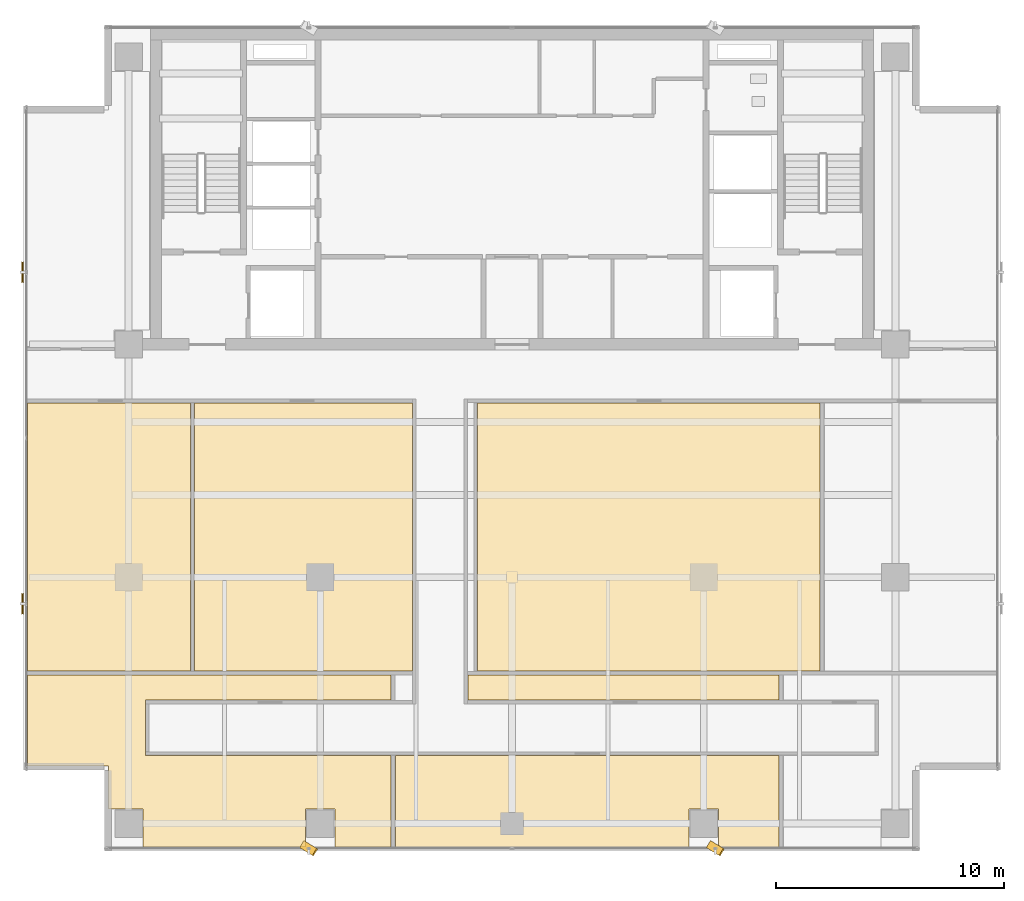
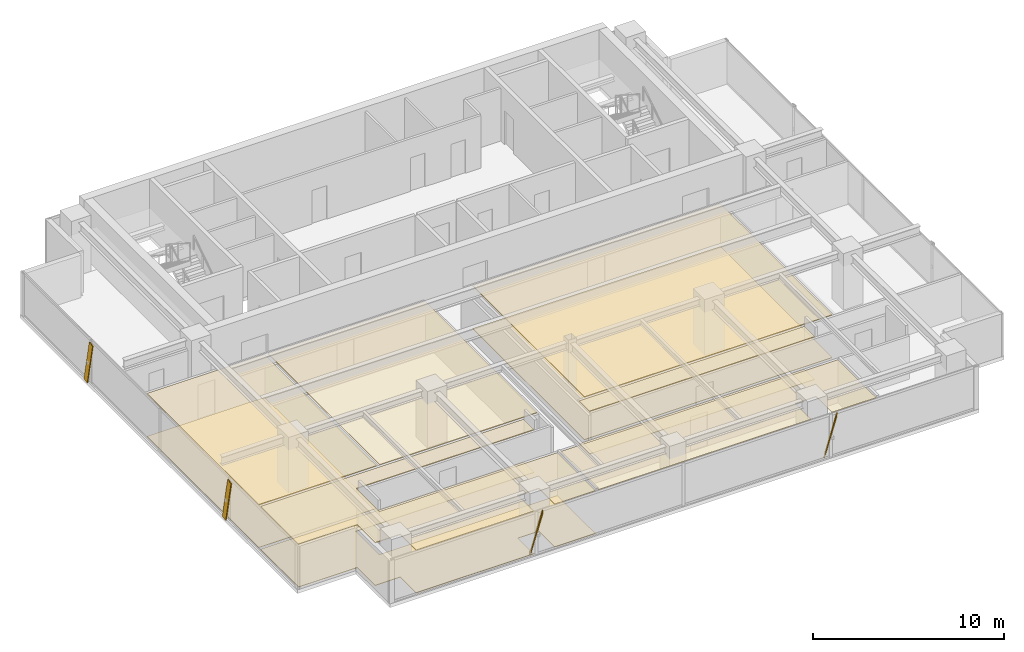
# One storey, part 18 of 22: 10 coverings, 4 shading devices.
"""IFC4 building model written with IfcOpenShell, lengths in metres."""

from ifc_helpers import new_model, si_unit, direction, frame, origin, origin_2d, place, context, subcontext, project, spatial, polyline, rectangle, outline, extrude, source, transform, mapped, material, layer, layer_set, material_profile, profile_set, type_object, element, save


model = new_model("IFC4")

# Units and contexts
model_context = context("Model", 3, precision=1e-05, world=origin(), true_north=direction((0.0, 1.0)))
body_context = subcontext(model_context, "Body", "Model", "MODEL_VIEW")
ifc_project = project(units=[si_unit("LENGTHUNIT", "METRE"), si_unit("AREAUNIT", "SQUARE_METRE"), si_unit("VOLUMEUNIT", "CUBIC_METRE"), si_unit("PLANEANGLEUNIT", "RADIAN"), si_unit("MASSUNIT", "GRAM", prefix="KILO")], contexts=[model_context])

# Site, building, storey
site_placement = place(None, origin())
site = spatial("IfcSite", under=ifc_project, at=site_placement, CompositionType="ELEMENT")
building_placement = place(site_placement, origin())
building = spatial("IfcBuilding", under=site, at=building_placement, Name="Sumidabori Civic Tower", CompositionType="ELEMENT")
storey_placement = place(building_placement, frame((0.0, 0.0, 279.199951171875)))
storey = spatial("IfcBuildingStorey", under=building, at=storey_placement, Name="L73", CompositionType="ELEMENT", Elevation=279.199951171875)

# Coverings
ifc_material_1 = material(Name="Anodised Bronze Baffle Ceiling")
ifc_layer_1 = layer(ifc_material_1, 0.054931640625, Name="Anodised Bronze Baffle Ceiling")
ifc_layer_set_1 = layer_set([ifc_layer_1], Name="Anodised Bronze Baffle Ceiling")
covering_type_1 = type_object("IfcCoveringType", Name="CV-CEIL-AC3", PredefinedType="CEILING", material=ifc_layer_set_1)
covering_1_placement = place(storey_placement, frame((0.0, 0.0, 2.719970703125)))
element("IfcCovering", 1, at=covering_1_placement, inside=storey, type_object=covering_type_1, Name="Room Acoustic Ceiling L73-03", PredefinedType="CEILING", context=body_context, shape_type="SweptSolid", body=[
    extrude(outline(polyline([(-21.22998046875, -4.10498046875), (-21.22998046875, 7.6298828125), (-14.094970703125, 7.6298828125), (-14.094970703125, -4.10498046875), (-21.22998046875, -4.10498046875)])), origin(), (0.0, 0.0, 1.0), 0.05517578125),
])
covering_2_placement = place(storey_placement, frame((0.0, 0.0, 2.719970703125)))
element("IfcCovering", 2, at=covering_2_placement, inside=storey, type_object=covering_type_1, Name="Room Acoustic Ceiling L73-04", PredefinedType="CEILING", context=body_context, shape_type="SweptSolid", body=[
    extrude(outline(polyline([(-13.905029296875, -4.10498046875), (-13.905029296875, 7.6298828125), (-4.3701171875, 7.6298828125), (-4.3701171875, -4.10498046875), (-13.905029296875, -4.10498046875)])), origin(), (0.0, 0.0, 1.0), 0.05517578125),
])
covering_3_placement = place(storey_placement, frame((0.0, 0.0, 2.719970703125)))
element("IfcCovering", 3, at=covering_3_placement, inside=storey, type_object=covering_type_1, Name="Room Acoustic Ceiling L73-05", PredefinedType="CEILING", context=body_context, shape_type="SweptSolid", body=[
    extrude(outline(polyline([(13.5048828125, 7.6298828125), (13.5048828125, -4.10498046875), (-1.5048828125, -4.10498046875), (-1.5048828125, 7.6298828125), (13.5048828125, 7.6298828125)])), origin(), (0.0, 0.0, 1.0), 0.05517578125),
])
covering_4_placement = place(storey_placement, frame((0.0, 0.0, 2.719970703125)))
element("IfcCovering", 4, at=covering_4_placement, inside=storey, type_object=covering_type_1, Name="Room Acoustic Ceiling L73-07", PredefinedType="CEILING", context=body_context, shape_type="SweptSolid", body=[
    extrude(outline(polyline([(-1.929931640625, -5.3798828125), (-1.929931640625, -4.294921875), (11.705078125, -4.294921875), (11.705078125, -5.3798828125), (-1.929931640625, -5.3798828125)])), origin(), (0.0, 0.0, 1.0), 0.05517578125),
])
covering_5_placement = place(storey_placement, frame((0.0, 0.0, 2.719970703125)))
element("IfcCovering", 5, at=covering_5_placement, inside=storey, type_object=covering_type_1, Name="Room Acoustic Ceiling L73-09", PredefinedType="CEILING", context=body_context, shape_type="SweptSolid", body=[
    extrude(outline(polyline([(-17.679931640625, -8.280029296875), (-21.22998046875, -8.280029296875), (-21.22998046875, -4.294921875), (-5.294921875, -4.294921875), (-5.294921875, -5.3798828125), (-16.070068359375, -5.3798828125), (-16.070068359375, -7.820068359375), (-5.294921875, -7.820068359375), (-5.294921875, -11.830078125), (-7.760009765625, -11.830078125), (-7.760009765625, -10.159912109375), (-9.0400390625, -10.159912109375), (-9.0400390625, -11.830078125), (-16.159912109375, -11.830078125), (-16.159912109375, -10.159912109375), (-17.679931640625, -10.159912109375), (-17.679931640625, -8.280029296875)])), origin(), (0.0, 0.0, 1.0), 0.05517578125),
])
covering_6_placement = place(storey_placement, frame((0.0, 0.0, 2.719970703125)))
element("IfcCovering", 6, at=covering_6_placement, inside=storey, type_object=covering_type_1, Name="Room Acoustic Ceiling L73-10", PredefinedType="CEILING", context=body_context, shape_type="SweptSolid", body=[
    extrude(outline(polyline([(11.705078125, -7.820068359375), (11.705078125, -11.830078125), (9.0400390625, -11.830078125), (9.0400390625, -10.159912109375), (7.760009765625, -10.159912109375), (7.760009765625, -11.830078125), (-5.10498046875, -11.830078125), (-5.10498046875, -7.820068359375), (11.705078125, -7.820068359375)])), origin(), (0.0, 0.0, 1.0), 0.05517578125),
])
ifc_material_2 = material(Name="Honed Terrazzo Tile Flooring")
ifc_layer_2 = layer(ifc_material_2, 0.030029296875, Name="Honed Terrazzo Tile Flooring")
ifc_layer_set_2 = layer_set([ifc_layer_2], Name="Honed Terrazzo Tile Flooring")
covering_type_2 = type_object("IfcCoveringType", Name="CV-FLR-TER", PredefinedType="FLOORING", material=ifc_layer_set_2)
covering_7_placement = place(storey_placement, origin())
element("IfcCovering", 7, at=covering_7_placement, inside=storey, type_object=covering_type_2, Name="Room Terrazzo Floor L73-03", PredefinedType="FLOORING", context=body_context, shape_type="SweptSolid", body=[
    extrude(outline(polyline([(-21.22998046875, -4.10498046875), (-21.22998046875, 7.6298828125), (-14.094970703125, 7.6298828125), (-14.094970703125, -4.10498046875), (-21.22998046875, -4.10498046875)])), origin(), (0.0, 0.0, 1.0), 0.030029296875),
])
covering_8_placement = place(storey_placement, origin())
element("IfcCovering", 8, at=covering_8_placement, inside=storey, type_object=covering_type_2, Name="Room Terrazzo Floor L73-05", PredefinedType="FLOORING", context=body_context, shape_type="SweptSolid", body=[
    extrude(outline(polyline([(13.5048828125, 7.6298828125), (13.5048828125, -4.10498046875), (-1.5048828125, -4.10498046875), (-1.5048828125, 7.6298828125), (13.5048828125, 7.6298828125)])), origin(), (0.0, 0.0, 1.0), 0.030029296875),
])
covering_9_placement = place(storey_placement, origin())
element("IfcCovering", 9, at=covering_9_placement, inside=storey, type_object=covering_type_2, Name="Room Terrazzo Floor L73-07", PredefinedType="FLOORING", context=body_context, shape_type="SweptSolid", body=[
    extrude(outline(polyline([(-1.929931640625, -5.3798828125), (-1.929931640625, -4.294921875), (11.705078125, -4.294921875), (11.705078125, -5.3798828125), (-1.929931640625, -5.3798828125)])), origin(), (0.0, 0.0, 1.0), 0.030029296875),
])
covering_10_placement = place(storey_placement, origin())
element("IfcCovering", 10, at=covering_10_placement, inside=storey, type_object=covering_type_2, Name="Room Terrazzo Floor L73-09", PredefinedType="FLOORING", context=body_context, shape_type="SweptSolid", body=[
    extrude(outline(polyline([(-17.679931640625, -8.280029296875), (-21.22998046875, -8.280029296875), (-21.22998046875, -4.294921875), (-5.294921875, -4.294921875), (-5.294921875, -5.3798828125), (-16.070068359375, -5.3798828125), (-16.070068359375, -7.820068359375), (-5.294921875, -7.820068359375), (-5.294921875, -11.830078125), (-7.760009765625, -11.830078125), (-7.760009765625, -10.159912109375), (-9.0400390625, -10.159912109375), (-9.0400390625, -11.830078125), (-16.159912109375, -11.830078125), (-16.159912109375, -10.159912109375), (-17.679931640625, -10.159912109375), (-17.679931640625, -8.280029296875)])), origin(), (0.0, 0.0, 1.0), 0.030029296875),
])

# Shading devices
ifc_material_3 = material(Name="Anodised Bronze Aluminium AW-6063-T6", Category="aluminium")
ifc_material_profile = material_profile(ifc_material_3, rectangle(XDim=0.054931640625, YDim=0.360107421875, at=origin_2d()), Name="BRONZE FIN 360x55")
ifc_profile_set = profile_set([ifc_material_profile], Name="Anodised Bronze Aluminium AW-6063-T6")
shading_device_type = type_object("IfcShadingDeviceType", Name="SH-FIN-360", PredefinedType="USERDEFINED", material=ifc_profile_set)
shared_shape_1 = source(origin(), body_context, "Body", "SweptSolid", [
    extrude(rectangle(XDim=0.054931640625, YDim=0.360107421875, at=origin_2d()), origin(), (0.0, 0.0, 1.0), 2.7685546875),
])
for number, where, z_axis, x_axis, name in (
    (11, (-9.18994140625, -11.7099609375, 0.02001953125), (0.202289930374, -0.122837782481, 0.971591304646), (0.830469701518, -0.504291322674, -0.236665030656), "Bronze Anodised Diagonal Fin L73-01"),
    (12, (8.6298828125, -11.7099609375, 0.02001953125), (0.202289930374, -0.122837782481, 0.971591304646), (0.830469701518, -0.504291322674, -0.236665030656), "Bronze Anodised Diagonal Fin L73-03"),
):
    element("IfcShadingDevice", number, at=place(storey_placement, frame(where, z_axis=z_axis, x_axis=x_axis)), inside=storey, type_object=shading_device_type, Name=name, ObjectType="FIN", PredefinedType="USERDEFINED", context=body_context, shape_type="MappedRepresentation", body=[
        mapped(shared_shape_1, transform((0.0, 0.0, 0.0), x_axis=(1.0, 0.0, 0.0), y_axis=(0.0, 1.0, 0.0), z_axis=(0.0, 0.0, 1.0), scale=1.0)),
    ])
shared_shape_2 = source(origin(), body_context, "Body", "SweptSolid", [
    extrude(rectangle(XDim=0.054931640625, YDim=0.360107421875, at=origin_2d()), origin(), (0.0, 0.0, 1.0), 2.74755859375),
])
for number, where, z_axis, x_axis, name in (
    (13, (-21.449951171875, 13.639892578125, 0.02001953125), (0.0, -0.203748445037, 0.979023274057), (-1.0, 0.0, 0.0), "Bronze Anodised Diagonal Fin L73-01"),
    (14, (-21.449951171875, -0.8798828125, 0.02001953125), (0.0, -0.20383361069, 0.979005546028), (-1.0, 0.0, 0.0), "Bronze Anodised Diagonal Fin L73-03"),
):
    element("IfcShadingDevice", number, at=place(storey_placement, frame(where, z_axis=z_axis, x_axis=x_axis)), inside=storey, type_object=shading_device_type, Name=name, ObjectType="FIN", PredefinedType="USERDEFINED", context=body_context, shape_type="MappedRepresentation", body=[
        mapped(shared_shape_2, transform((0.0, 0.0, 0.0), x_axis=(1.0, 0.0, 0.0), y_axis=(0.0, 1.0, 0.0), z_axis=(0.0, 0.0, 1.0), scale=1.0)),
    ])

save(model, "model.ifc")
